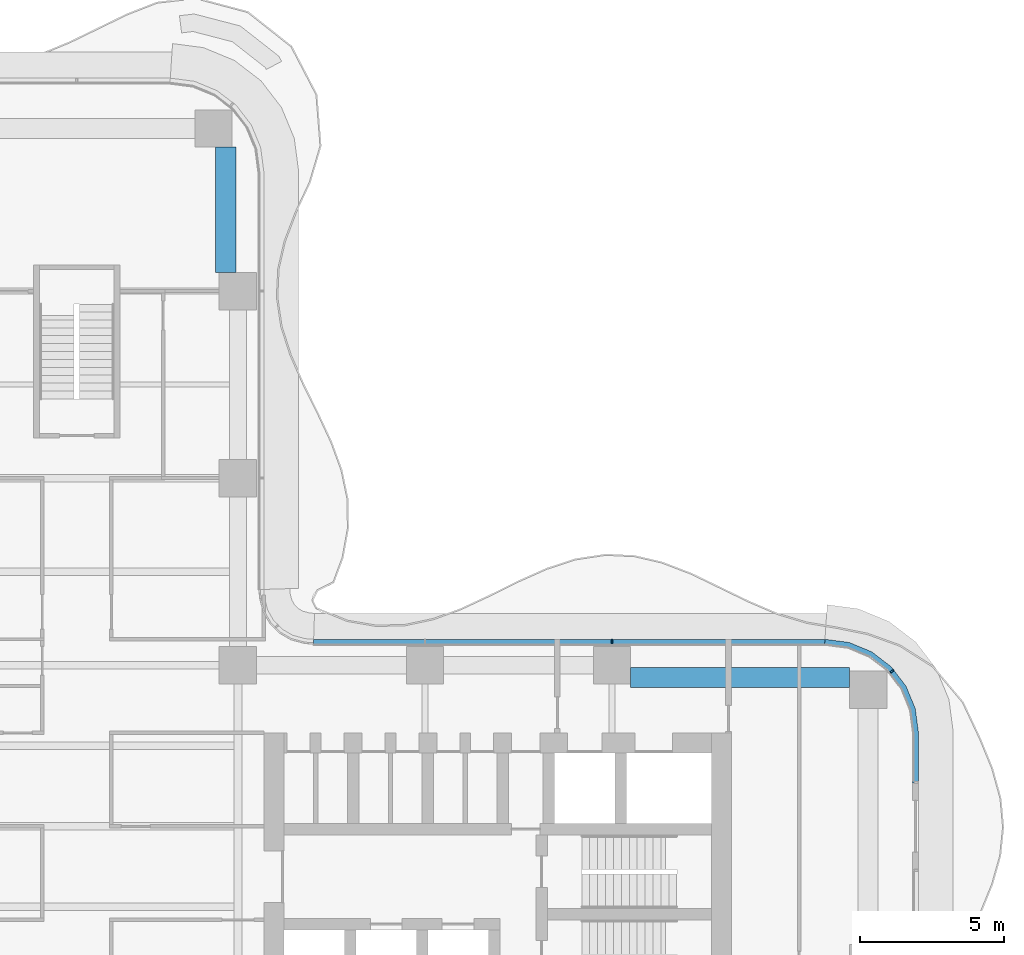
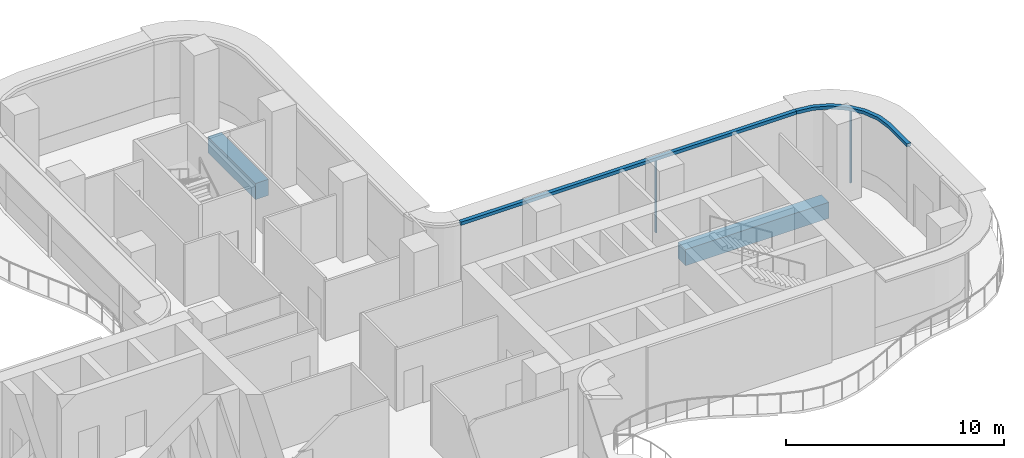
# One storey, part 11 of 21: 4 members, 2 beams, 2 elements without a shape of their own.
"""IFC4 building model written with IfcOpenShell, lengths in metres."""

from ifc_helpers import new_model, si_unit, direction, frame, origin, origin_2d, place, context, subcontext, project, spatial, polyline, rectangle, outline, extrude, source, transform, mapped, material, layer, layer_set, material_profile, profile_set, type_object, element, aggregate, save


model = new_model("IFC4")

# Units and contexts
model_context = context("Model", 3, precision=1e-05, world=origin(), true_north=direction((0.0, 1.0)))
body_context = subcontext(model_context, "Body", "Model", "MODEL_VIEW")
ifc_project = project(units=[si_unit("LENGTHUNIT", "METRE"), si_unit("AREAUNIT", "SQUARE_METRE"), si_unit("VOLUMEUNIT", "CUBIC_METRE"), si_unit("PLANEANGLEUNIT", "RADIAN"), si_unit("MASSUNIT", "GRAM", prefix="KILO")], contexts=[model_context])

# Site, building, storey
site_placement = place(None, origin())
site = spatial("IfcSite", under=ifc_project, at=site_placement, CompositionType="ELEMENT")
building_placement = place(site_placement, origin())
building = spatial("IfcBuilding", under=site, at=building_placement, Name="Trellis Farm Tower", CompositionType="ELEMENT")
storey_placement = place(building_placement, frame((0.0, 0.0, 115.5)))
storey = spatial("IfcBuildingStorey", under=building, at=storey_placement, Name="L24", CompositionType="ELEMENT", Elevation=115.5)

# Beams
ifc_material_1 = material(Name="Concrete C60/75", Category="concrete")
ifc_material_profile_1 = material_profile(ifc_material_1, rectangle(XDim=0.699951171875, YDim=0.89990234375, at=origin_2d()), Name="RC spandrel beam 700x900 C60/75")
ifc_profile_set_1 = profile_set([ifc_material_profile_1], Name="Concrete C60/75")
beam_type = type_object("IfcBeamType", Name="RC spandrel beam 700x900 C60/75", PredefinedType="SPANDREL", material=ifc_profile_set_1)
shared_shape_1 = source(origin(), body_context, "Body", "SweptSolid", [
    extrude(rectangle(XDim=0.699951171875, YDim=0.89990234375, at=origin_2d()), origin(), (0.0, 0.0, 1.0), 4.35009765625),
])
beam_1_placement = place(storey_placement, frame((5.175048828125, 19.25, -0.699951171875), z_axis=(0.0, 1.0, 0.0), x_axis=(-1.0, 0.0, 0.0)))
element("IfcBeam", 1, at=beam_1_placement, inside=storey, type_object=beam_type, Name="Girder", PredefinedType="SPANDREL", context=body_context, shape_type="MappedRepresentation", body=[
    mapped(shared_shape_1, transform((0.0, 0.0, 0.0))),
])
shared_shape_2 = source(origin(), body_context, "Body", "SweptSolid", [
    extrude(rectangle(XDim=0.699951171875, YDim=0.89990234375, at=origin_2d()), origin(), (0.0, 0.0, 1.0), 7.60009765625),
])
beam_2_placement = place(storey_placement, frame((19.25, 5.175048828125, -0.699951171875), z_axis=(1.0, 0.0, 0.0), x_axis=(0.0, 1.0, 0.0)))
element("IfcBeam", 2, at=beam_2_placement, inside=storey, type_object=beam_type, Name="Girder", PredefinedType="SPANDREL", context=body_context, shape_type="MappedRepresentation", body=[
    mapped(shared_shape_2, transform((0.0, 0.0, 0.0))),
])

# Curtain wall, member
ifc_material_2 = material(Name="Aluminium and glass curtain wall", Category="aluminium")
ifc_layer_1 = layer(ifc_material_2, 0.18994140625)
ifc_layer_set_1 = layer_set([ifc_layer_1], Name="RIBBON CURTAIN WALL CW1")
curtain_wall_type = type_object("IfcCurtainWallType", Name="RIBBON CURTAIN WALL CW1", PredefinedType="NOTDEFINED", material=ifc_layer_set_1)
placement_1 = place(storey_placement, origin())
curtain_wall_1 = element("IfcCurtainWall", 3, at=placement_1, inside=storey, type_object=curtain_wall_type, Name="CW1 007", PredefinedType="NOTDEFINED")
ifc_material_3 = material(Name="Aluminium extrusion 6063-T6", Category="aluminium")
ifc_material_profile_2 = material_profile(ifc_material_3, rectangle(XDim=0.06005859375, YDim=0.14990234375, at=origin_2d()), Name="MULLION 60x150")
ifc_profile_set_2 = profile_set([ifc_material_profile_2], Name="Aluminium extrusion 6063-T6")
member_type_1 = type_object("IfcMemberType", Name="CW1 MULLION 60x150", PredefinedType="MULLION", material=ifc_profile_set_2)
shared_shape_3 = source(origin(), body_context, "Body", "SweptSolid", [
    extrude(rectangle(XDim=0.06005859375, YDim=0.14990234375, at=origin_2d()), origin(), (0.0, 0.0, 1.0), 4.070068359375),
])
member_1_placement = place(storey_placement, frame((28.328369140625, 5.385498046875, 0.0), z_axis=(0.0, 0.0, 1.0), x_axis=(-0.608761429009, 0.793353340291, 0.0)))
member_1 = element("IfcMember", 4, at=member_1_placement, type_object=member_type_1, Name="MU1 007-02", PredefinedType="MULLION", context=body_context, shape_type="MappedRepresentation", body=[
    mapped(shared_shape_3, transform((0.0, 0.0, 0.0))),
])

# Curtain wall, members
curtain_wall_2 = element("IfcCurtainWall", 5, at=placement_1, inside=storey, type_object=curtain_wall_type, Name="CW1 008", PredefinedType="NOTDEFINED")
member_2_placement = place(storey_placement, frame((18.60009765625, 6.425048828125, 0.0), z_axis=(0.0, 0.0, 1.0), x_axis=(-1.0, 0.0, 0.0)))
member_2 = element("IfcMember", 6, at=member_2_placement, type_object=member_type_1, Name="MU1 008-01", PredefinedType="MULLION", context=body_context, shape_type="MappedRepresentation", body=[
    mapped(shared_shape_3, transform((0.0, 0.0, 0.0))),
])
ifc_layer_2 = layer(ifc_material_3, 0.199951171875)
ifc_layer_set_2 = layer_set([ifc_layer_2], Name="Aluminium extrusion 6063-T6")
member_type_2 = type_object("IfcMemberType", Name="CW1 TRANSOM 200x180", PredefinedType="USERDEFINED", material=ifc_layer_set_2)
shared_shape_4 = source(origin(), body_context, "Body", "SweptSolid", [
    extrude(outline(polyline([(26.0, 6.5), (8.2314453125, 6.5), (8.224853515625, 6.300048828125), (25.98681640625, 6.300048828125), (26.0, 6.5)])), origin(), (0.0, 0.0, 1.0), 0.179931640625),
])
placement_2 = place(storey_placement, frame((0.0, 0.0, 4.070068359375)))
member_3 = element("IfcMember", 7, at=placement_2, type_object=member_type_2, Name="TR1 008", ObjectType="TRANSOM", PredefinedType="USERDEFINED", context=body_context, shape_type="MappedRepresentation", body=[
    mapped(shared_shape_4, transform((0.0, 0.0, 0.0))),
])
aggregate(curtain_wall_2, [member_2, member_3])

# Member
shared_shape_5 = source(origin(), body_context, "Body", "SweptSolid", [
    extrude(outline(polyline([(29.25, 1.5), (29.25, 3.25), (29.13916015625, 4.091064453125), (28.814697265625, 4.875), (28.298095703125, 5.548095703125), (27.625, 6.064697265625), (26.841064453125, 6.38916015625), (26.0, 6.5), (25.98681640625, 6.300048828125), (26.7890625, 6.1943359375), (27.524169921875, 5.889892578125), (28.155517578125, 5.405517578125), (28.639892578125, 4.774169921875), (28.9443359375, 4.0390625), (29.050048828125, 3.23681640625), (29.050048828125, 1.5), (29.25, 1.5)])), origin(), (0.0, 0.0, 1.0), 0.179931640625),
])
member_4 = element("IfcMember", 8, at=placement_2, type_object=member_type_2, Name="TR1 007", ObjectType="TRANSOM", PredefinedType="USERDEFINED", context=body_context, shape_type="MappedRepresentation", body=[
    mapped(shared_shape_5, transform((0.0, 0.0, 0.0))),
])

aggregate(curtain_wall_1, [member_1, member_4])

save(model, "model.ifc")
